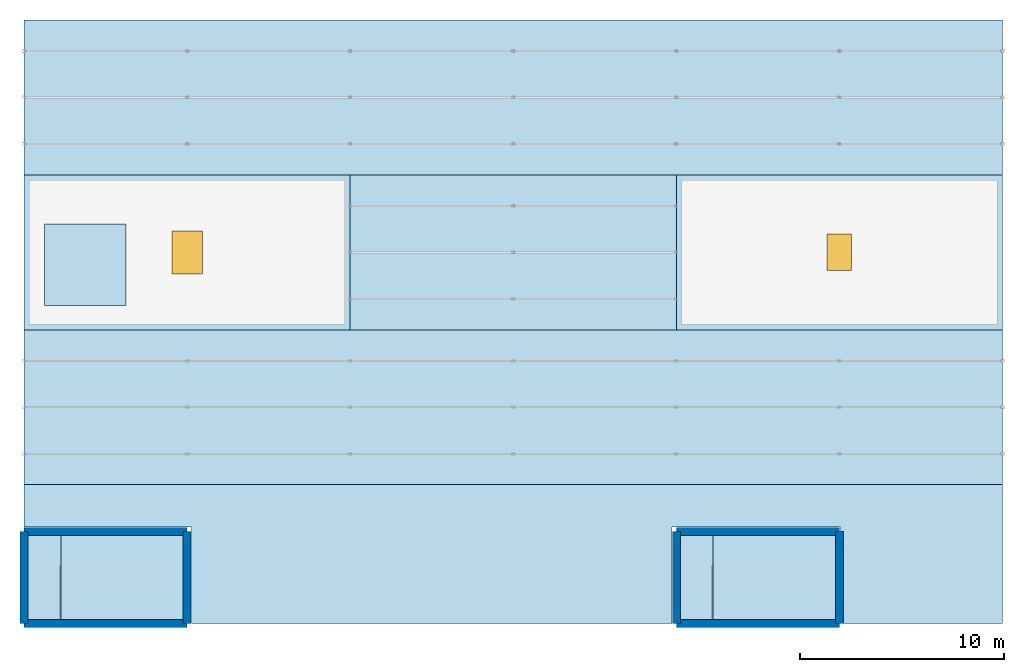
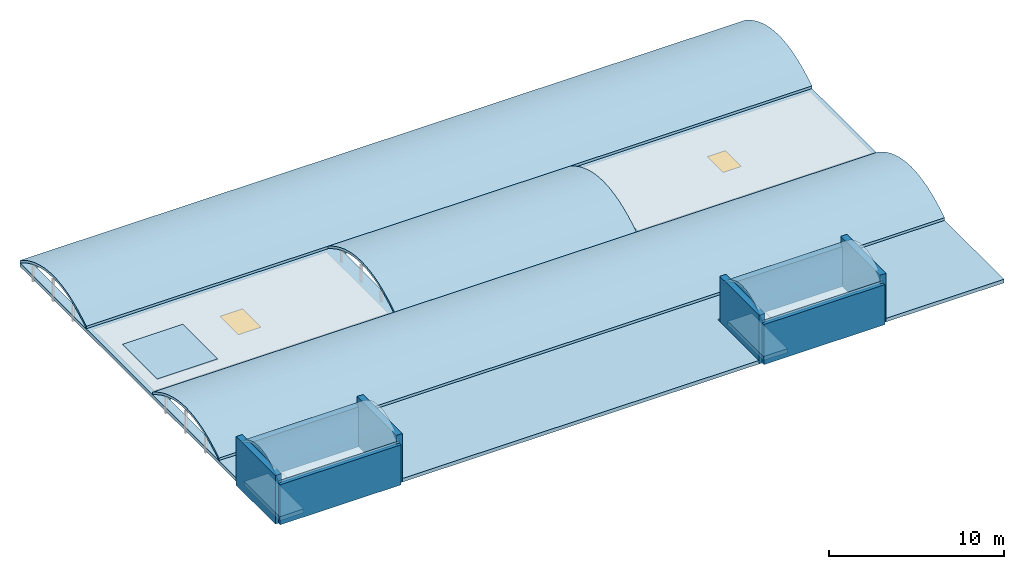
"""IFC4 building model written with IfcOpenShell, lengths in metres."""

import ifcopenshell
import ifcopenshell.guid

model = None  # the IFC model being written
_history = None  # IfcOwnerHistory: only IFC2X3 demands one
_inside = {}  # id of a spatial element -> (the spatial element, [elements in it])
_under = {}  # id of a project, library or spatial element -> (it, [spatial elements below it])
_declared = {}  # id of a project -> (the project, [libraries it declares])
_typed = {}  # id of a type object -> (the type object, [elements of that type])
_made_of = {}  # id of a material, layer set ... -> (it, [elements and type objects made of it])


def new_model(schema):
    """Start an empty IFC model of exactly this schema.

    Asked for "IFC4X3", IfcOpenShell would pick the latest addendum, in which some entities
    have other attributes; the version numbers below select the first issue.
    IFC2X3 requires an IfcOwnerHistory on every rooted entity: one is made here for all.
    """
    global model, _history
    if schema == "IFC4X3":
        model = ifcopenshell.file(schema_version=(4, 3, 0, 0))
    else:
        model = ifcopenshell.file(schema=schema)
    _inside.clear()
    _under.clear()
    _declared.clear()
    _typed.clear()
    _made_of.clear()
    _history = None
    if model.schema == "IFC2X3":
        org = make("IfcOrganization", Name="unknown")
        user = make(
            "IfcPersonAndOrganization",
            ThePerson=make("IfcPerson", FamilyName="unknown"),
            TheOrganization=org,
        )
        app = make(
            "IfcApplication",
            ApplicationDeveloper=org,
            Version="unknown",
            ApplicationFullName="unknown",
            ApplicationIdentifier="unknown",
        )
        _history = make(
            "IfcOwnerHistory",
            OwningUser=user,
            OwningApplication=app,
            ChangeAction="ADDED",
            CreationDate=0,
        )
    return model


def make(cls, **values):
    """One entity of the class cls with the attributes given. An attribute that is None is left unset."""
    return model.create_entity(
        cls, **{name: value for name, value in values.items() if value is not None}
    )


def rooted(cls, **values):
    """An entity with a GlobalId (a new one), such as an element, a storey or a relation."""
    return make(cls, GlobalId=ifcopenshell.guid.new(), OwnerHistory=_history, **values)


def si_unit(unit_type, name, prefix=None):
    """IfcSIUnit, for example si_unit("LENGTHUNIT", "METRE", prefix="MILLI")."""
    return make("IfcSIUnit", UnitType=unit_type, Prefix=prefix, Name=name)


def assignment(units):
    """IfcUnitAssignment: the units of a project."""
    return None if units is None else make("IfcUnitAssignment", Units=units)


def point(xyz):
    """IfcCartesianPoint."""
    return None if xyz is None else make("IfcCartesianPoint", Coordinates=xyz)


def direction(xyz):
    """IfcDirection."""
    return None if xyz is None else make("IfcDirection", DirectionRatios=xyz)


def frame(location, z_axis=None, x_axis=None):
    """IfcAxis2Placement3D, a coordinate frame: its origin and axes. An axis left out is left unset."""
    return make(
        "IfcAxis2Placement3D",
        Location=point(location),
        Axis=direction(z_axis),
        RefDirection=direction(x_axis),
    )


def frame_2d(location, x_axis=None):
    """IfcAxis2Placement2D, a coordinate frame in the plane: its origin and x axis."""
    return make(
        "IfcAxis2Placement2D", Location=point(location), RefDirection=direction(x_axis)
    )


def origin():
    """The frame at (0, 0, 0) with its axes left unset."""
    return frame((0.0, 0.0, 0.0))


def origin_2d():
    """The frame at (0, 0) in the plane with its x axis left unset."""
    return frame_2d((0.0, 0.0))


def place(relative_to, where):
    """IfcLocalPlacement: puts the frame where relative to a parent placement (None: the world)."""
    return make(
        "IfcLocalPlacement", PlacementRelTo=relative_to, RelativePlacement=where
    )


def context(
    kind, dimensions, precision=None, world=None, true_north=None, identifier=None
):
    """IfcGeometricRepresentationContext, for example the 3D "Model" context."""
    return make(
        "IfcGeometricRepresentationContext",
        ContextIdentifier=identifier,
        ContextType=kind,
        CoordinateSpaceDimension=dimensions,
        Precision=precision,
        WorldCoordinateSystem=world,
        TrueNorth=true_north,
    )


def subcontext(parent, identifier, kind, view, scale=None):
    """IfcGeometricRepresentationSubContext, for example "Body" below "Model"."""
    return make(
        "IfcGeometricRepresentationSubContext",
        ContextIdentifier=identifier,
        ContextType=kind,
        ParentContext=parent,
        TargetScale=scale,
        TargetView=view,
    )


def project(units=None, contexts=None):
    """IfcProject with its units and contexts."""
    return rooted(
        "IfcProject",
        Name="project",
        RepresentationContexts=contexts,
        UnitsInContext=assignment(units),
    )


def spatial(cls, under=None, at=None, **own):
    """A site, building, storey or space (cls), placed at a placement, below another one or the project."""
    s = rooted(cls, ObjectPlacement=at, **own)
    if under is not None:
        _under.setdefault(under.id(), (under, []))[1].append(s)
    return s


def polyline(points):
    """IfcPolyline through the points."""
    return make("IfcPolyline", Points=[point(p) for p in points])


def profile(cls, at=None, kind="AREA", **sizes):
    """A parametric profile (cls). Its sizes go by their IFC names, for example OverallWidth=200.0."""
    return make(cls, ProfileType=kind, Position=at, **sizes)


def rectangle(**sizes):
    """IfcRectangleProfileDef."""
    return profile("IfcRectangleProfileDef", **sizes)


def outline(outer, holes=None, kind="AREA"):
    """IfcArbitraryClosedProfileDef: a profile drawn as a closed curve; with holes, ...WithVoids."""
    if holes is None:
        return make("IfcArbitraryClosedProfileDef", ProfileType=kind, OuterCurve=outer)
    return make(
        "IfcArbitraryProfileDefWithVoids",
        ProfileType=kind,
        OuterCurve=outer,
        InnerCurves=holes,
    )


def extrude(swept, where, along, depth):
    """IfcExtrudedAreaSolid: the profile swept, set in the frame where, extruded along a direction by depth."""
    return make(
        "IfcExtrudedAreaSolid",
        SweptArea=swept,
        Position=where,
        ExtrudedDirection=direction(along),
        Depth=depth,
    )


def shape(context_of_items, identifier, shape_type, items):
    """IfcShapeRepresentation: the items that make up one representation, for example the "Body"."""
    return make(
        "IfcShapeRepresentation",
        ContextOfItems=context_of_items,
        RepresentationIdentifier=identifier,
        RepresentationType=shape_type,
        Items=items,
    )


def material(Name=None, Category=None):
    """IfcMaterial."""
    return make("IfcMaterial", Name=Name, Category=Category)


def layer(
    of_material, thickness, ventilated=None, Name=None, Category=None, Priority=None
):
    """IfcMaterialLayer: one layer of a wall or slab, of a material (None: an air gap)."""
    return make(
        "IfcMaterialLayer",
        Material=of_material,
        LayerThickness=thickness,
        IsVentilated=ventilated,
        Name=Name,
        Category=Category,
        Priority=Priority,
    )


def layer_set(layers, Name=None):
    """IfcMaterialLayerSet."""
    return make("IfcMaterialLayerSet", MaterialLayers=layers, LayerSetName=Name)


def made_of(thing, what):
    """Note that an element or type object is made of a material, layer set ...; save() writes the relation."""
    if what is not None:
        _made_of.setdefault(what.id(), (what, []))[1].append(thing)
    return thing


def type_object(cls, material=None, **own):
    """A type object (cls), such as IfcWallType, which elements share."""
    return made_of(rooted(cls, **own), material)


def element(
    cls,
    number,
    at=None,
    inside=None,
    cuts=None,
    type_object=None,
    material=None,
    context=None,
    identifier="Body",
    shape_type=None,
    held_by="IfcProductDefinitionShape",
    body=None,
    shapes=None,
    **own,
):
    """One element of the class cls, such as IfcWall. Its Tag is "e" and its number.

    at: its placement. inside: the storey or other place that contains it. cuts: it is an
    opening in that element (IfcRelVoidsElement). A single representation is given by context,
    identifier, shape_type and body (its items); several are given by shapes. held_by: the class
    of the entity that holds the representations. save() writes the other relations.
    """
    e = rooted(cls, Tag="e%d" % number, ObjectPlacement=at, **own)
    if body is not None:
        shapes = [shape(context, identifier, shape_type, body)]
    if shapes is not None:
        e.Representation = make(held_by, Representations=shapes)
    if inside is not None:
        _inside.setdefault(inside.id(), (inside, []))[1].append(e)
    if cuts is not None:
        rooted(
            "IfcRelVoidsElement", RelatingBuildingElement=cuts, RelatedOpeningElement=e
        )
    if type_object is not None:
        _typed.setdefault(type_object.id(), (type_object, []))[1].append(e)
    return made_of(e, material)


def fill(opening, filler):
    """IfcRelFillsElement: the door or window that sits in an opening."""
    return rooted(
        "IfcRelFillsElement",
        RelatingOpeningElement=opening,
        RelatedBuildingElement=filler,
    )


def aggregate(whole, parts):
    """IfcRelAggregates: a whole, such as a stair, and the parts it consists of."""
    return rooted("IfcRelAggregates", RelatingObject=whole, RelatedObjects=parts)


def save(model, path):
    """Write the relations noted so far, then the file.

    IfcRelAggregates (storeys below a building ...), IfcRelContainedInSpatialStructure (elements
    in a storey), IfcRelDefinesByType, IfcRelAssociatesMaterial and IfcRelDeclares: one each for
    every whole, place, type object, material and project.
    """
    for whole, parts in _under.values():
        aggregate(whole, parts)
    for where, things in _inside.values():
        rooted(
            "IfcRelContainedInSpatialStructure",
            RelatedElements=things,
            RelatingStructure=where,
        )
    for kind, things in _typed.values():
        rooted("IfcRelDefinesByType", RelatedObjects=things, RelatingType=kind)
    for what, things in _made_of.values():
        rooted("IfcRelAssociatesMaterial", RelatedObjects=things, RelatingMaterial=what)
    for by, libraries in _declared.values():
        rooted("IfcRelDeclares", RelatingContext=by, RelatedDefinitions=libraries)
    model.write(path)


model = new_model("IFC4")

# Units and contexts
model_context = context("Model", 3, precision=1e-05, world=origin(), true_north=direction((0.0, 1.0)))
body_context = subcontext(model_context, "Body", "Model", "MODEL_VIEW")
ifc_project = project(units=[si_unit("LENGTHUNIT", "METRE"), si_unit("AREAUNIT", "SQUARE_METRE"), si_unit("VOLUMEUNIT", "CUBIC_METRE"), si_unit("PLANEANGLEUNIT", "RADIAN"), si_unit("MASSUNIT", "GRAM", prefix="KILO")], contexts=[model_context])

# Site, building, storey
site_placement = place(None, origin())
site = spatial("IfcSite", under=ifc_project, at=site_placement, CompositionType="ELEMENT")
building_placement = place(site_placement, origin())
building = spatial("IfcBuilding", under=site, at=building_placement, Name="Shalkamar Park Central Library", CompositionType="ELEMENT")
storey_1_placement = place(building_placement, frame((0.0, 0.0, 77.699951171875)))
storey_1 = spatial("IfcBuildingStorey", under=building, at=storey_1_placement, Name="ROOF", CompositionType="ELEMENT", Elevation=77.699951171875)

# Slab, openings
ifc_material_1 = material(Name="Concrete C35/45", Category="concrete")
ifc_layer_1 = layer(ifc_material_1, 0.25)
ifc_layer_set_1 = layer_set([ifc_layer_1], Name="Concrete C35/45")
slab_type_1 = type_object("IfcSlabType", Name="Flat Roof Slab 140", PredefinedType="ROOF", material=ifc_layer_set_1)
slab_1_placement = place(storey_1_placement, frame((0.0, 0.0, -0.25)))
slab_1 = element("IfcSlab", 1, at=slab_1_placement, inside=storey_1, type_object=slab_type_1, Name="Flat Roof Slab RF-L18-MAIN", PredefinedType="ROOF", context=body_context, shape_type="SweptSolid", body=[
    extrude(outline(polyline([(165.0, 278.0), (213.0, 278.0), (213.0, 248.39990234375), (205.050048828125, 248.39990234375), (205.050048828125, 253.1201171875), (196.780029296875, 253.1201171875), (196.780029296875, 248.39990234375), (173.219970703125, 248.39990234375), (173.219970703125, 253.1201171875), (165.0, 253.1201171875), (165.0, 278.0)]), holes=[polyline([(165.60009765625, 255.800048828125), (212.39990234375, 255.800048828125), (212.39990234375, 262.199951171875), (165.60009765625, 262.199951171875), (165.60009765625, 255.800048828125)]), polyline([(181.60009765625, 263.39990234375), (196.39990234375, 263.39990234375), (196.39990234375, 269.800048828125), (181.60009765625, 269.800048828125), (181.60009765625, 263.39990234375)]), polyline([(165.60009765625, 271.0), (212.39990234375, 271.0), (212.39990234375, 277.39990234375), (165.60009765625, 277.39990234375), (165.60009765625, 271.0)])]), origin(), (0.0, 0.0, 1.0), 0.25),
])
opening_1_placement = place(slab_1_placement, frame((173.0, 266.60009765625, -0.010009765625)))
opening_1 = element("IfcOpeningElement", 2, at=opening_1_placement, cuts=slab_1, Name="Opening SK-05", PredefinedType="OPENING", context=body_context, shape_type="SweptSolid", body=[
    extrude(rectangle(XDim=1.5, YDim=2.10009765625, at=origin_2d()), origin(), (0.0, 0.0, 1.0), 0.27001953125),
])
opening_2_placement = place(slab_1_placement, frame((205.0, 266.60009765625, -0.010009765625)))
opening_2 = element("IfcOpeningElement", 3, at=opening_2_placement, cuts=slab_1, Name="Opening SK-06", PredefinedType="OPENING", context=body_context, shape_type="SweptSolid", body=[
    extrude(rectangle(XDim=1.199951171875, YDim=1.800048828125, at=origin_2d()), origin(), (0.0, 0.0, 1.0), 0.27001953125),
])

# Storey
storey_2_placement = place(building_placement, frame((0.0, 0.0, 72.300048828125)))
storey_2 = spatial("IfcBuildingStorey", under=building, at=storey_2_placement, Name="L18", CompositionType="ELEMENT", Elevation=72.300048828125)

# Window
ifc_material_2 = material(Name="Thermally broken aluminium and triple low-e glass", Category="glass")
window_type_1 = type_object("IfcWindowType", Name="Roof Skylight 1200x1800", PartitioningType="SINGLE_PANEL", PredefinedType="SKYLIGHT", material=ifc_material_2)
window_1_placement = place(opening_2_placement, frame((0.0, 0.0, 0.2099609375)))
window_1 = element("IfcWindow", 4, at=window_1_placement, inside=storey_2, type_object=window_type_1, Name="Roof Skylight SK-L18-12", OverallHeight=1.800048828125, OverallWidth=1.199951171875, PartitioningType="SINGLE_PANEL", PredefinedType="SKYLIGHT", context=body_context, shape_type="SweptSolid", body=[
    extrude(rectangle(XDim=1.199951171875, YDim=1.800048828125, at=origin_2d()), origin(), (0.0, 0.0, 1.0), 0.050048828125),
])

fill(opening_2, window_1)

window_type_2 = type_object("IfcWindowType", Name="Roof Skylight 1500x2100", PartitioningType="SINGLE_PANEL", PredefinedType="SKYLIGHT", material=ifc_material_2)
window_2_placement = place(opening_1_placement, frame((0.0, 0.0, 0.2099609375)))
window_2 = element("IfcWindow", 5, at=window_2_placement, inside=storey_2, type_object=window_type_2, Name="Roof Skylight SK-L18-11", OverallHeight=2.10009765625, OverallWidth=1.5, PartitioningType="SINGLE_PANEL", PredefinedType="SKYLIGHT", context=body_context, shape_type="SweptSolid", body=[
    extrude(rectangle(XDim=1.5, YDim=2.10009765625, at=origin_2d()), origin(), (0.0, 0.0, 1.0), 0.050048828125),
])

fill(opening_1, window_2)

# Slabs
ifc_layer_2 = layer(ifc_material_1, 0.280029296875)
ifc_layer_set_2 = layer_set([ifc_layer_2], Name="Concrete C35/45")
slab_type_2 = type_object("IfcSlabType", Name="Stair Landing Slab 160", PredefinedType="LANDING", material=ifc_layer_set_2)
slab_2_placement = place(storey_1_placement, frame((0.0, 0.0, -0.280029296875)))
element("IfcSlab", 6, at=slab_2_placement, inside=storey_1, type_object=slab_type_2, Name="CORE-T1 Roof Headhouse Arrival Landing Slab", PredefinedType="LANDING", context=body_context, shape_type="SweptSolid", body=[
    extrude(outline(polyline([(165.199951171875, 248.60009765625), (166.800048828125, 248.60009765625), (166.800048828125, 252.699951171875), (165.199951171875, 252.699951171875), (165.199951171875, 248.60009765625)])), origin(), (0.0, 0.0, 1.0), 0.280029296875),
])
slab_3_placement = place(storey_1_placement, frame((0.0, 0.0, -0.280029296875)))
element("IfcSlab", 7, at=slab_3_placement, inside=storey_1, type_object=slab_type_2, Name="CORE-T2 Roof Headhouse Arrival Landing Slab", PredefinedType="LANDING", context=body_context, shape_type="SweptSolid", body=[
    extrude(outline(polyline([(197.199951171875, 248.60009765625), (198.800048828125, 248.60009765625), (198.800048828125, 252.699951171875), (197.199951171875, 252.699951171875), (197.199951171875, 248.60009765625)])), origin(), (0.0, 0.0, 1.0), 0.280029296875),
])

# Walls
ifc_material_3 = material(Name="Concrete C40/50", Category="concrete")
ifc_layer_3 = layer(ifc_material_3, 0.39990234375)
ifc_layer_set_3 = layer_set([ifc_layer_3], Name="Concrete C40/50")
wall_type = type_object("IfcWallType", Name="Tower Core Shear Wall 400", PredefinedType="SHEAR", material=ifc_layer_set_3)
wall_1_placement = place(storey_1_placement, frame((165.0, 248.39990234375, -0.25), z_axis=(0.0, 0.0, 1.0), x_axis=(1.0, 0.0, 0.0)))
element("IfcWall", 8, at=wall_1_placement, inside=storey_1, type_object=wall_type, Name="CORE-T1 Roof Headhouse Shear Wall S", PredefinedType="SHEAR", context=body_context, shape_type="SweptSolid", body=[
    extrude(rectangle(XDim=8.0, YDim=0.39990234375, at=frame_2d((4.0, 0.0))), origin(), (0.0, 0.0, 1.0), 2.800048828125),
])
for number, where, z_axis, x_axis, name in (
    (9, (165.0, 248.39990234375, -0.25), (0.0, 0.0, 1.0), (0.0, 1.0, 0.0), "CORE-T1 Roof Headhouse Shear Wall W"),
    (10, (173.0, 248.39990234375, -0.25), (0.0, 0.0, 1.0), (0.0, 1.0, 0.0), "CORE-T1 Roof Headhouse Shear Wall E"),
):
    element("IfcWall", number, at=place(storey_1_placement, frame(where, z_axis=z_axis, x_axis=x_axis)), inside=storey_1, type_object=wall_type, Name=name, PredefinedType="SHEAR", context=body_context, shape_type="SweptSolid", body=[
        extrude(rectangle(XDim=4.5, YDim=0.39990234375, at=frame_2d((2.25, 0.0))), origin(), (0.0, 0.0, 1.0), 3.400146484375),
    ])
for number, where, z_axis, x_axis, name in (
    (11, (165.0, 252.89990234375, -0.25), (0.0, 0.0, 1.0), (1.0, 0.0, 0.0), "CORE-T1 Roof Headhouse Shear Wall MID"),
    (12, (197.0, 248.39990234375, -0.25), (0.0, 0.0, 1.0), (1.0, 0.0, 0.0), "CORE-T2 Roof Headhouse Shear Wall S"),
):
    element("IfcWall", number, at=place(storey_1_placement, frame(where, z_axis=z_axis, x_axis=x_axis)), inside=storey_1, type_object=wall_type, Name=name, PredefinedType="SHEAR", context=body_context, shape_type="SweptSolid", body=[
        extrude(rectangle(XDim=8.0, YDim=0.39990234375, at=frame_2d((4.0, 0.0))), origin(), (0.0, 0.0, 1.0), 2.800048828125),
    ])
for number, where, z_axis, x_axis, name in (
    (13, (197.0, 248.39990234375, -0.25), (0.0, 0.0, 1.0), (0.0, 1.0, 0.0), "CORE-T2 Roof Headhouse Shear Wall W"),
    (14, (205.0, 248.39990234375, -0.25), (0.0, 0.0, 1.0), (0.0, 1.0, 0.0), "CORE-T2 Roof Headhouse Shear Wall E"),
):
    element("IfcWall", number, at=place(storey_1_placement, frame(where, z_axis=z_axis, x_axis=x_axis)), inside=storey_1, type_object=wall_type, Name=name, PredefinedType="SHEAR", context=body_context, shape_type="SweptSolid", body=[
        extrude(rectangle(XDim=4.5, YDim=0.39990234375, at=frame_2d((2.25, 0.0))), origin(), (0.0, 0.0, 1.0), 3.400146484375),
    ])
wall_2_placement = place(storey_1_placement, frame((197.0, 252.89990234375, -0.25), z_axis=(0.0, 0.0, 1.0), x_axis=(1.0, 0.0, 0.0)))
element("IfcWall", 15, at=wall_2_placement, inside=storey_1, type_object=wall_type, Name="CORE-T2 Roof Headhouse Shear Wall MID", PredefinedType="SHEAR", context=body_context, shape_type="SweptSolid", body=[
    extrude(rectangle(XDim=8.0, YDim=0.39990234375, at=frame_2d((4.0, 0.0))), origin(), (0.0, 0.0, 1.0), 2.800048828125),
])

# Roofs
ifc_layer_4 = layer(ifc_material_1, 0.239990234375)
ifc_layer_set_4 = layer_set([ifc_layer_4], Name="Concrete C35/45")
roof_type_1 = type_object("IfcRoofType", Name="Insulated Flat Roof Assembly", PredefinedType="FLAT_ROOF", material=ifc_layer_set_4)
roof_1_placement = place(storey_1_placement, origin())
element("IfcRoof", 16, at=roof_1_placement, inside=storey_1, type_object=roof_type_1, Name="Level ROOF Insulated Flat Roof Assembly", PredefinedType="FLAT_ROOF", context=body_context, shape_type="SweptSolid", body=[
    extrude(outline(polyline([(166.0, 264.0), (170.0, 264.0), (170.0, 268.0), (166.0, 268.0), (166.0, 264.0)])), origin(), (0.0, 0.0, 1.0), 0.030029296875),
])
ifc_layer_5 = layer(ifc_material_1, 0.179931640625)
ifc_layer_set_5 = layer_set([ifc_layer_5], Name="Concrete C35/45")
roof_type_2 = type_object("IfcRoofType", Name="Polychrome Barrel Vault Roof", PredefinedType="BARREL_ROOF", material=ifc_layer_set_5)
roof_2_placement = place(storey_1_placement, frame((165.0, 259.0, 0.0), z_axis=(0.0, 0.0, 1.0), x_axis=(1.0, 0.0, 0.0)))
element("IfcRoof", 17, at=roof_2_placement, inside=storey_1, type_object=roof_type_2, Name="Barrel Vault Clerestory Roof BV-L18-1", PredefinedType="BARREL_ROOF", context=body_context, shape_type="SweptSolid", body=[
    extrude(outline(polyline([(-3.800048828125, 0.179931640625), (-3.324951171875, 0.472900390625), (-2.85009765625, 0.726806640625), (-2.375, 0.941650390625), (-1.89990234375, 1.117431640625), (-1.425048828125, 1.254150390625), (-0.949951171875, 1.351806640625), (-0.47509765625, 1.410400390625), (0.0, 1.429931640625), (0.47509765625, 1.410400390625), (0.949951171875, 1.351806640625), (1.425048828125, 1.254150390625), (1.89990234375, 1.117431640625), (2.375, 0.941650390625), (2.85009765625, 0.726806640625), (3.324951171875, 0.472900390625), (3.800048828125, 0.179931640625), (3.800048828125, 0.0), (3.324951171875, 0.29296875), (2.85009765625, 0.546875), (2.375, 0.76171875), (1.89990234375, 0.9375), (1.425048828125, 1.07421875), (0.949951171875, 1.171875), (0.47509765625, 1.23046875), (0.0, 1.25), (-0.47509765625, 1.23046875), (-0.949951171875, 1.171875), (-1.425048828125, 1.07421875), (-1.89990234375, 0.9375), (-2.375, 0.76171875), (-2.85009765625, 0.546875), (-3.324951171875, 0.29296875), (-3.800048828125, 0.0), (-3.800048828125, 0.179931640625)])), frame((0.0, 0.0, 0.0), z_axis=(1.0, 0.0, 0.0), x_axis=(0.0, 1.0, 0.0)), (0.0, 0.0, 1.0), 48.0),
])
roof_3_placement = place(storey_1_placement, frame((181.0, 266.60009765625, 0.0), z_axis=(0.0, 0.0, 1.0), x_axis=(1.0, 0.0, 0.0)))
element("IfcRoof", 18, at=roof_3_placement, inside=storey_1, type_object=roof_type_2, Name="Barrel Vault Clerestory Roof BV-L18-2", PredefinedType="BARREL_ROOF", context=body_context, shape_type="SweptSolid", body=[
    extrude(outline(polyline([(-3.7998046875, 0.179931640625), (-3.324951171875, 0.472900390625), (-2.849853515625, 0.726806640625), (-2.375, 0.941650390625), (-1.89990234375, 1.117431640625), (-1.425048828125, 1.254150390625), (-0.949951171875, 1.351806640625), (-0.47509765625, 1.410400390625), (0.0, 1.429931640625), (0.47509765625, 1.410400390625), (0.949951171875, 1.351806640625), (1.425048828125, 1.254150390625), (1.89990234375, 1.117431640625), (2.375, 0.941650390625), (2.849853515625, 0.726806640625), (3.324951171875, 0.472900390625), (3.7998046875, 0.179931640625), (3.7998046875, 0.0), (3.324951171875, 0.29296875), (2.849853515625, 0.546875), (2.375, 0.76171875), (1.89990234375, 0.9375), (1.425048828125, 1.07421875), (0.949951171875, 1.171875), (0.47509765625, 1.23046875), (0.0, 1.25), (-0.47509765625, 1.23046875), (-0.949951171875, 1.171875), (-1.425048828125, 1.07421875), (-1.89990234375, 0.9375), (-2.375, 0.76171875), (-2.849853515625, 0.546875), (-3.324951171875, 0.29296875), (-3.7998046875, 0.0), (-3.7998046875, 0.179931640625)])), frame((0.0, 0.0, 0.0), z_axis=(1.0, 0.0, 0.0), x_axis=(0.0, 1.0, 0.0)), (0.0, 0.0, 1.0), 16.0),
])
roof_4_placement = place(storey_1_placement, frame((165.0, 274.199951171875, 0.0), z_axis=(0.0, 0.0, 1.0), x_axis=(1.0, 0.0, 0.0)))
element("IfcRoof", 19, at=roof_4_placement, inside=storey_1, type_object=roof_type_2, Name="Barrel Vault Clerestory Roof BV-L18-3", PredefinedType="BARREL_ROOF", context=body_context, shape_type="SweptSolid", body=[
    extrude(outline(polyline([(-3.800048828125, 0.179931640625), (-3.324951171875, 0.472900390625), (-2.85009765625, 0.726806640625), (-2.375, 0.941650390625), (-1.89990234375, 1.117431640625), (-1.425048828125, 1.254150390625), (-0.949951171875, 1.351806640625), (-0.47509765625, 1.410400390625), (0.0, 1.429931640625), (0.47509765625, 1.410400390625), (0.949951171875, 1.351806640625), (1.425048828125, 1.254150390625), (1.89990234375, 1.117431640625), (2.375, 0.941650390625), (2.85009765625, 0.726806640625), (3.324951171875, 0.472900390625), (3.800048828125, 0.179931640625), (3.800048828125, 0.0), (3.324951171875, 0.29296875), (2.85009765625, 0.546875), (2.375, 0.76171875), (1.89990234375, 0.9375), (1.425048828125, 1.07421875), (0.949951171875, 1.171875), (0.47509765625, 1.23046875), (0.0, 1.25), (-0.47509765625, 1.23046875), (-0.949951171875, 1.171875), (-1.425048828125, 1.07421875), (-1.89990234375, 0.9375), (-2.375, 0.76171875), (-2.85009765625, 0.546875), (-3.324951171875, 0.29296875), (-3.800048828125, 0.0), (-3.800048828125, 0.179931640625)])), frame((0.0, 0.0, 0.0), z_axis=(1.0, 0.0, 0.0), x_axis=(0.0, 1.0, 0.0)), (0.0, 0.0, 1.0), 48.0),
])
for number, where, z_axis, x_axis, name in (
    (20, (165.0, 250.64990234375, 2.5400390625), (0.0, 0.0, 1.0), (1.0, 0.0, 0.0), "Roof Stair Headhouse Barrel Vault CORE-T1"),
    (21, (197.0, 250.64990234375, 2.5400390625), (0.0, 0.0, 1.0), (1.0, 0.0, 0.0), "Roof Stair Headhouse Barrel Vault CORE-T2"),
):
    element("IfcRoof", number, at=place(storey_1_placement, frame(where, z_axis=z_axis, x_axis=x_axis)), inside=storey_1, type_object=roof_type_2, Name=name, PredefinedType="BARREL_ROOF", context=body_context, shape_type="SweptSolid", body=[
        extrude(outline(polyline([(-2.25, 0.179931640625), (-1.875, 0.50390625), (-1.5, 0.768798828125), (-1.125, 0.97509765625), (-0.75, 1.122314453125), (-0.375, 1.21044921875), (0.0, 1.239990234375), (0.375, 1.21044921875), (0.75, 1.122314453125), (1.125, 0.97509765625), (1.5, 0.768798828125), (1.875, 0.50390625), (2.25, 0.179931640625), (2.25, 0.0), (1.875, 0.323974609375), (1.5, 0.5888671875), (1.125, 0.794921875), (0.75, 0.9423828125), (0.375, 1.030517578125), (0.0, 1.06005859375), (-0.375, 1.030517578125), (-0.75, 0.9423828125), (-1.125, 0.794921875), (-1.5, 0.5888671875), (-1.875, 0.323974609375), (-2.25, 0.0), (-2.25, 0.179931640625)])), frame((0.0, 0.0, 0.0), z_axis=(1.0, 0.0, 0.0), x_axis=(0.0, 1.0, 0.0)), (0.0, 0.0, 1.0), 8.0),
    ])

save(model, "model.ifc")
